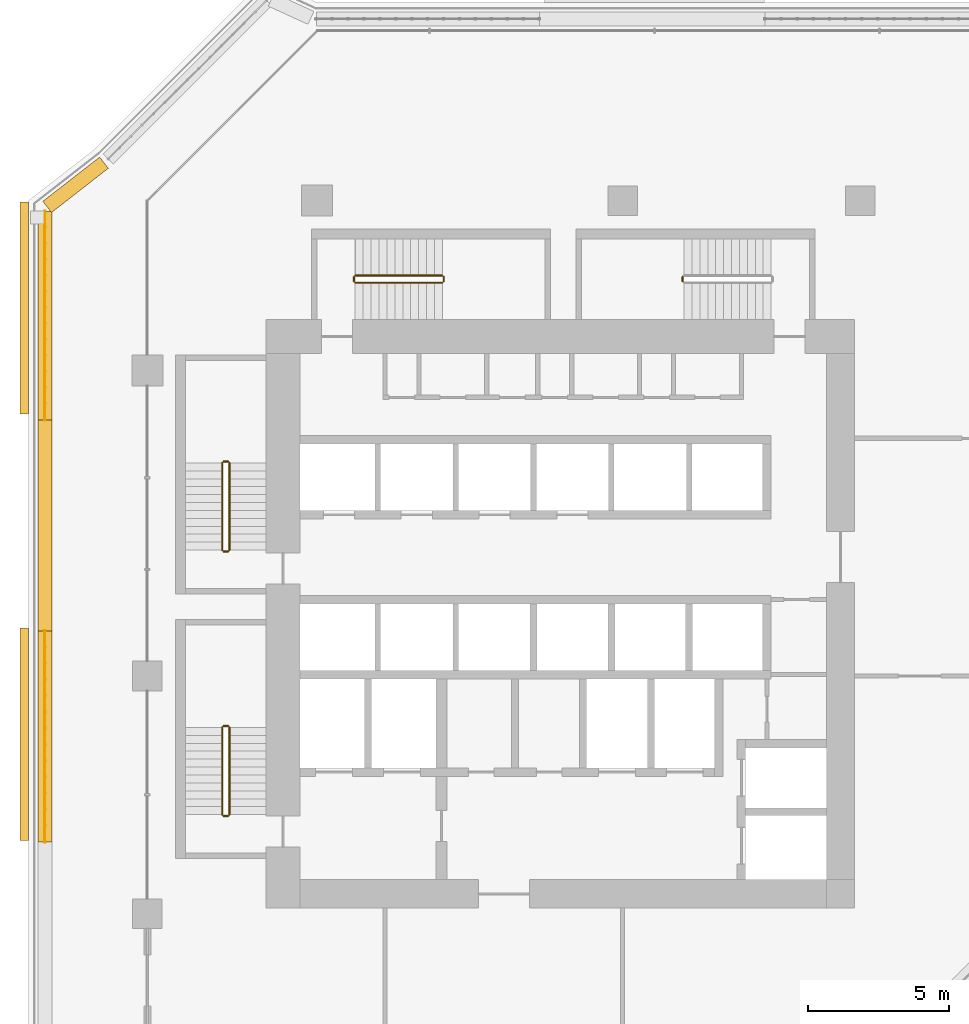
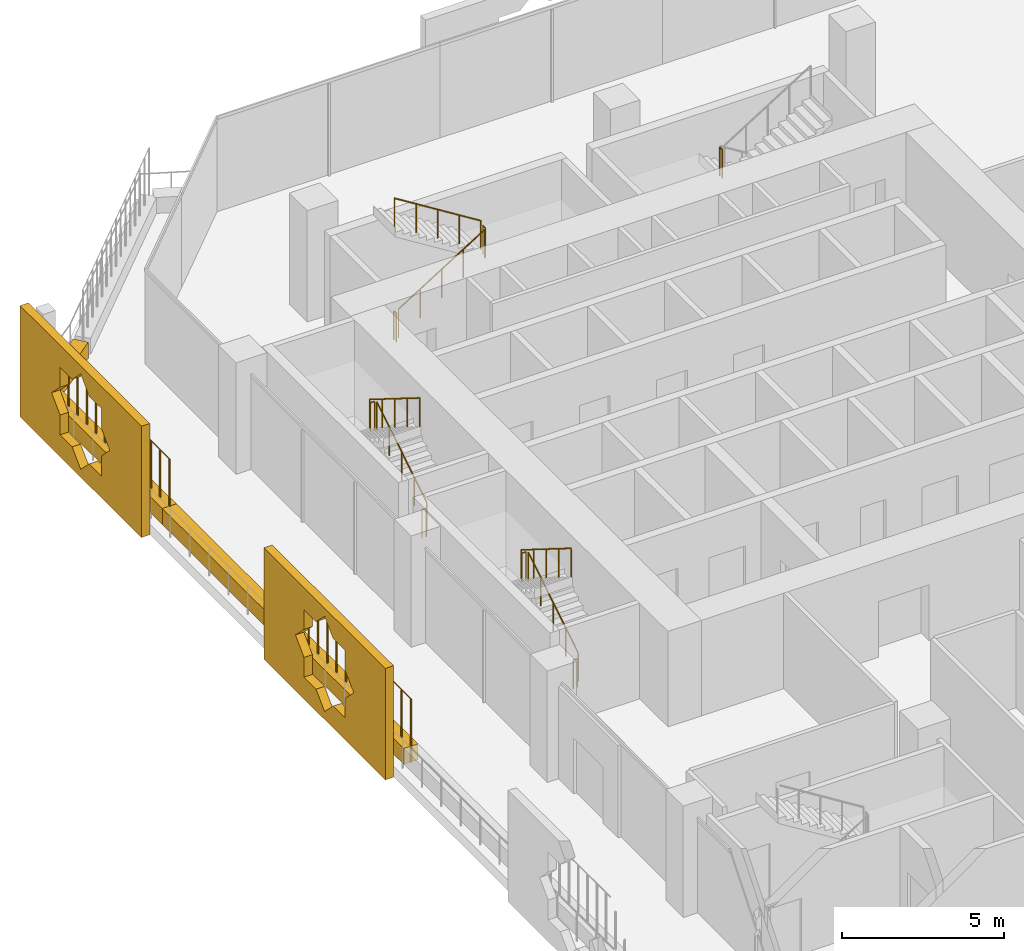
# One storey, part 21 of 25: 15 railings, 6 coverings.
"""IFC4 building model written with IfcOpenShell, lengths in metres."""

from ifc_helpers import new_model, si_unit, direction, frame, origin, origin_2d, place, context, subcontext, project, spatial, polyline, rectangle, circle, outline, extrude, material, material_profile, profile_set, type_object, element, save


model = new_model("IFC4")

# Units and contexts
model_context = context("Model", 3, precision=1e-05, world=origin(), true_north=direction((0.0, 1.0)))
body_context = subcontext(model_context, "Body", "Model", "MODEL_VIEW")
ifc_project = project(units=[si_unit("LENGTHUNIT", "METRE"), si_unit("AREAUNIT", "SQUARE_METRE"), si_unit("VOLUMEUNIT", "CUBIC_METRE"), si_unit("PLANEANGLEUNIT", "RADIAN"), si_unit("MASSUNIT", "GRAM", prefix="KILO")], contexts=[model_context])

# Site, building, storey
site_placement = place(None, origin())
site = spatial("IfcSite", under=ifc_project, at=site_placement, CompositionType="ELEMENT")
building_placement = place(site_placement, origin())
building = spatial("IfcBuilding", under=site, at=building_placement, Name="Kawkab Arch Medical Tower", CompositionType="ELEMENT")
storey_placement = place(building_placement, frame((0.0, 0.0, 132.39990234375)))
storey = spatial("IfcBuildingStorey", under=building, at=storey_placement, Name="L30", CompositionType="ELEMENT", Elevation=132.39990234375)

# Coverings
ifc_material_1 = material(Name="Bronze anodised aluminium mashrabiya panel, eight-point star pattern", Category="aluminium")
ifc_material_profile_1 = material_profile(ifc_material_1, outline(polyline([(-3.75, -2.10009765625), (3.75, -2.10009765625), (3.75, 2.10009765625), (-3.75, 2.10009765625), (-3.75, -2.10009765625)]), holes=[polyline([(1.800048828125, 0.0), (1.272705078125, 0.527099609375), (1.272705078125, 1.272705078125), (0.527099609375, 1.272705078125), (0.0, 1.800048828125), (-0.527099609375, 1.272705078125), (-1.272705078125, 1.272705078125), (-1.272705078125, 0.527099609375), (-1.800048828125, 0.0), (-1.272705078125, -0.527099609375), (-1.272705078125, -1.272705078125), (-0.527099609375, -1.272705078125), (0.0, -1.800048828125), (0.527099609375, -1.272705078125), (1.272705078125, -1.272705078125), (1.272705078125, -0.527099609375), (1.800048828125, 0.0)])]), Name="Mashrabiya panel 7500x4200")
ifc_profile_set_1 = profile_set([ifc_material_profile_1], Name="Bronze anodised aluminium mashrabiya panel, eight-point star pattern")
covering_type_1 = type_object("IfcCoveringType", Name="Mashrabiya panel 7500 x 4200", PredefinedType="USERDEFINED", material=ifc_profile_set_1)
for number, where, z_axis, x_axis, name in (
    (1, (-4.199951171875, -18.8583984375, 1.7001953125), (-1.0, 0.0, 0.0), (0.0, -1.0, 0.0), "Mashrabiya panel L30.LOG-01-01.4"),
    (2, (-4.199951171875, -3.795654296875, 1.7001953125), (-1.0, 0.0, 0.0), (0.0, -1.0, 0.0), "Mashrabiya panel L30.LOG-01-01.5"),
):
    element("IfcCovering", number, at=place(storey_placement, frame(where, z_axis=z_axis, x_axis=x_axis)), inside=storey, type_object=covering_type_1, Name=name, ObjectType="SCREEN", PredefinedType="USERDEFINED", context=body_context, shape_type="SweptSolid", body=[
        extrude(outline(polyline([(-3.75, -2.10009765625), (3.75, -2.10009765625), (3.75, 2.10009765625), (-3.75, 2.10009765625), (-3.75, -2.10009765625)]), holes=[polyline([(1.800048828125, 0.0), (1.272705078125, 0.527099609375), (1.272705078125, 1.272705078125), (0.527099609375, 1.272705078125), (0.0, 1.800048828125), (-0.527099609375, 1.272705078125), (-1.272705078125, 1.272705078125), (-1.272705078125, 0.527099609375), (-1.800048828125, 0.0), (-1.272705078125, -0.527099609375), (-1.272705078125, -1.272705078125), (-0.527099609375, -1.272705078125), (0.0, -1.800048828125), (0.527099609375, -1.272705078125), (1.272705078125, -1.272705078125), (1.272705078125, -0.527099609375), (1.800048828125, 0.0)])]), origin(), (0.0, 0.0, 1.0), 0.300048828125),
    ])
ifc_material_2 = material(Name="Planting soil in a precast trough", Category="concrete")
ifc_material_profile_2 = material_profile(ifc_material_2, rectangle(XDim=0.5, YDim=0.60009765625, at=origin_2d()), Name="Trough 500x600")
ifc_profile_set_2 = profile_set([ifc_material_profile_2], Name="Planting soil in a precast trough")
covering_type_2 = type_object("IfcCoveringType", Name="Planter trough 500 x 600", PredefinedType="USERDEFINED", material=ifc_profile_set_2)
for number, where, z_axis, x_axis, name in (
    (3, (-3.6201171875, -22.6689453125, 0.300048828125), (0.0, 1.0, 0.0), (-1.0, 0.0, 0.0), "Planter L30.LOG-01-01.11"),
    (4, (-3.6201171875, -15.20703125, 0.300048828125), (0.0, 1.0, 0.0), (-1.0, 0.0, 0.0), "Planter L30.LOG-01-01.12"),
):
    element("IfcCovering", number, at=place(storey_placement, frame(where, z_axis=z_axis, x_axis=x_axis)), inside=storey, type_object=covering_type_2, Name=name, ObjectType="PLANTER", PredefinedType="USERDEFINED", context=body_context, shape_type="SweptSolid", body=[
        extrude(rectangle(XDim=0.5, YDim=0.60009765625, at=origin_2d()), origin(), (0.0, 0.0, 1.0), 7.4619140625),
    ])
covering_1_placement = place(storey_placement, frame((-3.6201171875, -7.7451171875, 0.300048828125), z_axis=(0.0, 1.0, 0.0), x_axis=(-1.0, 0.0, 0.0)))
element("IfcCovering", 5, at=covering_1_placement, inside=storey, type_object=covering_type_2, Name="Planter L30.LOG-01-01.13", ObjectType="PLANTER", PredefinedType="USERDEFINED", context=body_context, shape_type="SweptSolid", body=[
    extrude(rectangle(XDim=0.5, YDim=0.60009765625, at=origin_2d()), origin(), (0.0, 0.0, 1.0), 7.361083984375),
])
covering_2_placement = place(storey_placement, frame((-3.541015625, -0.221923828125, 0.300048828125), z_axis=(0.789274742246, 0.61404021143, 0.0), x_axis=(-0.61404021143, 0.789274742246, 0.0)))
element("IfcCovering", 6, at=covering_2_placement, inside=storey, type_object=covering_type_2, Name="Planter L30.LOG-01-01.14", ObjectType="PLANTER", PredefinedType="USERDEFINED", context=body_context, shape_type="SweptSolid", body=[
    extrude(rectangle(XDim=0.5, YDim=0.60009765625, at=origin_2d()), origin(), (0.0, 0.0, 1.0), 2.54541015625),
])

# Railings
ifc_material_3 = material(Name="Bronze anodised aluminium trellis for climbing plants", Category="aluminium")
railing_type_1 = type_object("IfcRailingType", Name="Planting trellis 2400", PredefinedType="USERDEFINED", material=ifc_material_3)
railing_1_placement = place(storey_placement, frame((-3.6201171875, -22.6689453125, 0.0)))
element("IfcRailing", 7, at=railing_1_placement, inside=storey, type_object=railing_type_1, Name="Planting trellis L30.LOG-01-01.11", ObjectType="TRELLIS", PredefinedType="USERDEFINED", context=body_context, shape_type="SweptSolid", body=[
    extrude(circle(Radius=0.01513671875, at=origin_2d()), frame((0.0, 0.0, 2.384765625), z_axis=(0.0, 1.0, 0.0), x_axis=(-1.0, 0.0, 0.0)), (0.0, 0.0, 1.0), 7.4619140625),
    extrude(circle(Radius=0.030029296875, at=origin_2d()), origin(), (0.0, 0.0, 1.0), 2.369873046875),
    extrude(circle(Radius=0.030029296875, at=origin_2d()), frame((0.0, 0.573974609375, 0.0)), (0.0, 0.0, 1.0), 2.369873046875),
    extrude(circle(Radius=0.030029296875, at=origin_2d()), frame((0.0, 1.14794921875, 0.0)), (0.0, 0.0, 1.0), 2.369873046875),
    extrude(circle(Radius=0.030029296875, at=origin_2d()), frame((0.0, 1.721923828125, 0.0)), (0.0, 0.0, 1.0), 2.369873046875),
    extrude(circle(Radius=0.030029296875, at=origin_2d()), frame((0.0, 2.2958984375, 0.0)), (0.0, 0.0, 1.0), 2.369873046875),
    extrude(circle(Radius=0.030029296875, at=origin_2d()), frame((0.0, 2.869873046875, 0.0)), (0.0, 0.0, 1.0), 2.369873046875),
    extrude(circle(Radius=0.030029296875, at=origin_2d()), frame((0.0, 3.44384765625, 0.0)), (0.0, 0.0, 1.0), 2.369873046875),
    extrude(circle(Radius=0.030029296875, at=origin_2d()), frame((0.0, 4.01806640625, 0.0)), (0.0, 0.0, 1.0), 2.369873046875),
    extrude(circle(Radius=0.030029296875, at=origin_2d()), frame((0.0, 4.592041015625, 0.0)), (0.0, 0.0, 1.0), 2.369873046875),
    extrude(circle(Radius=0.030029296875, at=origin_2d()), frame((0.0, 5.166015625, 0.0)), (0.0, 0.0, 1.0), 2.369873046875),
    extrude(circle(Radius=0.030029296875, at=origin_2d()), frame((0.0, 5.739990234375, 0.0)), (0.0, 0.0, 1.0), 2.369873046875),
    extrude(circle(Radius=0.030029296875, at=origin_2d()), frame((0.0, 6.31396484375, 0.0)), (0.0, 0.0, 1.0), 2.369873046875),
    extrude(circle(Radius=0.030029296875, at=origin_2d()), frame((0.0, 6.887939453125, 0.0)), (0.0, 0.0, 1.0), 2.369873046875),
    extrude(circle(Radius=0.030029296875, at=origin_2d()), frame((0.0, 7.4619140625, 0.0)), (0.0, 0.0, 1.0), 2.369873046875),
])
railing_2_placement = place(storey_placement, frame((-3.6201171875, -7.7451171875, 0.0)))
element("IfcRailing", 8, at=railing_2_placement, inside=storey, type_object=railing_type_1, Name="Planting trellis L30.LOG-01-01.13", ObjectType="TRELLIS", PredefinedType="USERDEFINED", context=body_context, shape_type="SweptSolid", body=[
    extrude(circle(Radius=0.01513671875, at=origin_2d()), frame((0.0, 0.0, 2.384765625), z_axis=(0.0, 1.0, 0.0), x_axis=(-1.0, 0.0, 0.0)), (0.0, 0.0, 1.0), 7.361083984375),
    extrude(circle(Radius=0.030029296875, at=origin_2d()), origin(), (0.0, 0.0, 1.0), 2.369873046875),
    extrude(circle(Radius=0.030029296875, at=origin_2d()), frame((0.0, 0.566162109375, 0.0)), (0.0, 0.0, 1.0), 2.369873046875),
    extrude(circle(Radius=0.030029296875, at=origin_2d()), frame((0.0, 1.132568359375, 0.0)), (0.0, 0.0, 1.0), 2.369873046875),
    extrude(circle(Radius=0.030029296875, at=origin_2d()), frame((0.0, 1.69873046875, 0.0)), (0.0, 0.0, 1.0), 2.369873046875),
    extrude(circle(Radius=0.030029296875, at=origin_2d()), frame((0.0, 2.264892578125, 0.0)), (0.0, 0.0, 1.0), 2.369873046875),
    extrude(circle(Radius=0.030029296875, at=origin_2d()), frame((0.0, 2.831298828125, 0.0)), (0.0, 0.0, 1.0), 2.369873046875),
    extrude(circle(Radius=0.030029296875, at=origin_2d()), frame((0.0, 3.3974609375, 0.0)), (0.0, 0.0, 1.0), 2.369873046875),
    extrude(circle(Radius=0.030029296875, at=origin_2d()), frame((0.0, 3.963623046875, 0.0)), (0.0, 0.0, 1.0), 2.369873046875),
    extrude(circle(Radius=0.030029296875, at=origin_2d()), frame((0.0, 4.52978515625, 0.0)), (0.0, 0.0, 1.0), 2.369873046875),
    extrude(circle(Radius=0.030029296875, at=origin_2d()), frame((0.0, 5.09619140625, 0.0)), (0.0, 0.0, 1.0), 2.369873046875),
    extrude(circle(Radius=0.030029296875, at=origin_2d()), frame((0.0, 5.662353515625, 0.0)), (0.0, 0.0, 1.0), 2.369873046875),
    extrude(circle(Radius=0.030029296875, at=origin_2d()), frame((0.0, 6.228515625, 0.0)), (0.0, 0.0, 1.0), 2.369873046875),
    extrude(circle(Radius=0.030029296875, at=origin_2d()), frame((0.0, 6.794921875, 0.0)), (0.0, 0.0, 1.0), 2.369873046875),
    extrude(circle(Radius=0.030029296875, at=origin_2d()), frame((0.0, 7.361083984375, 0.0)), (0.0, 0.0, 1.0), 2.369873046875),
])
ifc_material_4 = material(Name="Stainless steel", Category="steel")
railing_type_2 = type_object("IfcRailingType", Name="Stair guard 1100", PredefinedType="GUARDRAIL", material=ifc_material_4)
railing_3_placement = place(storey_placement, frame((2.89990234375, -12.35009765625, 0.175048828125)))
element("IfcRailing", 9, at=railing_3_placement, inside=storey, type_object=railing_type_2, Name="L30 ST1 stair guard 1", PredefinedType="GUARDRAIL", context=body_context, shape_type="SweptSolid", body=[
    extrude(circle(Radius=0.02392578125, at=origin_2d()), frame((0.0, 0.0, 1.076171875), z_axis=(0.0, 0.847998304005, 0.529998940003), x_axis=(-1.0, 0.0, 0.0)), (0.0, 0.0, 1.0), 3.632080078125),
    extrude(circle(Radius=0.02099609375, at=origin_2d()), origin(), (0.0, 0.0, 1.0), 1.052001953125),
    extrude(circle(Radius=0.02099609375, at=origin_2d()), frame((0.0, 0.77001953125, 0.481201171875)), (0.0, 0.0, 1.0), 1.052001953125),
    extrude(circle(Radius=0.02099609375, at=origin_2d()), frame((0.0, 1.5400390625, 0.96240234375)), (0.0, 0.0, 1.0), 1.052001953125),
    extrude(circle(Radius=0.02099609375, at=origin_2d()), frame((0.0, 2.31005859375, 1.44384765625)), (0.0, 0.0, 1.0), 1.052001953125),
    extrude(circle(Radius=0.02099609375, at=origin_2d()), frame((0.0, 3.080078125, 1.925048828125)), (0.0, 0.0, 1.0), 1.052001953125),
])
railing_4_placement = place(storey_placement, frame((2.85009765625, -9.219970703125, 2.10009765625)))
element("IfcRailing", 10, at=railing_4_placement, inside=storey, type_object=railing_type_2, Name="L30 ST1 stair guard 2", PredefinedType="GUARDRAIL", context=body_context, shape_type="SweptSolid", body=[
    extrude(circle(Radius=0.02392578125, at=origin_2d()), frame((0.0, 0.0, 1.076171875), z_axis=(-1.0, 0.0, 0.0), x_axis=(0.0, -1.0, 0.0)), (0.0, 0.0, 1.0), 0.150146484375),
    extrude(circle(Radius=0.02099609375, at=origin_2d()), origin(), (0.0, 0.0, 1.0), 1.052001953125),
    extrude(circle(Radius=0.02099609375, at=origin_2d()), frame((-0.150146484375, 0.0, 0.0)), (0.0, 0.0, 1.0), 1.052001953125),
])
railing_5_placement = place(storey_placement, frame((2.64990234375, -9.27001953125, 2.275146484375)))
element("IfcRailing", 11, at=railing_5_placement, inside=storey, type_object=railing_type_2, Name="L30 ST1 stair guard 3", PredefinedType="GUARDRAIL", context=body_context, shape_type="SweptSolid", body=[
    extrude(circle(Radius=0.02392578125, at=origin_2d()), frame((0.0, 0.0, 1.076171875), z_axis=(0.0, -0.847998304005, 0.529998940003), x_axis=(1.0, 0.0, 0.0)), (0.0, 0.0, 1.0), 3.632080078125),
    extrude(circle(Radius=0.02099609375, at=origin_2d()), origin(), (0.0, 0.0, 1.0), 1.052001953125),
    extrude(circle(Radius=0.02099609375, at=origin_2d()), frame((0.0, -0.77001953125, 0.481201171875)), (0.0, 0.0, 1.0), 1.052001953125),
    extrude(circle(Radius=0.02099609375, at=origin_2d()), frame((0.0, -1.5400390625, 0.96240234375)), (0.0, 0.0, 1.0), 1.052001953125),
    extrude(circle(Radius=0.02099609375, at=origin_2d()), frame((0.0, -2.31005859375, 1.44384765625)), (0.0, 0.0, 1.0), 1.052001953125),
    extrude(circle(Radius=0.02099609375, at=origin_2d()), frame((0.0, -3.080078125, 1.925048828125)), (0.0, 0.0, 1.0), 1.052001953125),
])
railing_6_placement = place(storey_placement, frame((2.85009765625, -12.39990234375, 0.0)))
element("IfcRailing", 12, at=railing_6_placement, inside=storey, type_object=railing_type_2, Name="L30 ST1 stair guard 4", PredefinedType="GUARDRAIL", context=body_context, shape_type="SweptSolid", body=[
    extrude(circle(Radius=0.02392578125, at=origin_2d()), frame((0.0, 0.0, 1.076171875), z_axis=(-1.0, 0.0, 0.0), x_axis=(0.0, -1.0, 0.0)), (0.0, 0.0, 1.0), 0.150146484375),
    extrude(circle(Radius=0.02099609375, at=origin_2d()), origin(), (0.0, 0.0, 1.0), 1.052001953125),
    extrude(circle(Radius=0.02099609375, at=origin_2d()), frame((-0.150146484375, 0.0, 0.0)), (0.0, 0.0, 1.0), 1.052001953125),
])
railing_7_placement = place(storey_placement, frame((2.89990234375, -21.699951171875, 0.175048828125)))
element("IfcRailing", 13, at=railing_7_placement, inside=storey, type_object=railing_type_2, Name="L30 ST2 stair guard 1", PredefinedType="GUARDRAIL", context=body_context, shape_type="SweptSolid", body=[
    extrude(circle(Radius=0.02392578125, at=origin_2d()), frame((0.0, 0.0, 1.076171875), z_axis=(0.0, 0.847979421464, 0.530029150871), x_axis=(-1.0, 0.0, 0.0)), (0.0, 0.0, 1.0), 3.632080078125),
    extrude(circle(Radius=0.02099609375, at=origin_2d()), origin(), (0.0, 0.0, 1.0), 1.052001953125),
    extrude(circle(Radius=0.02099609375, at=origin_2d()), frame((0.0, 0.77001953125, 0.481201171875)), (0.0, 0.0, 1.0), 1.052001953125),
    extrude(circle(Radius=0.02099609375, at=origin_2d()), frame((0.0, 1.5400390625, 0.96240234375)), (0.0, 0.0, 1.0), 1.052001953125),
    extrude(circle(Radius=0.02099609375, at=origin_2d()), frame((0.0, 2.309814453125, 1.44384765625)), (0.0, 0.0, 1.0), 1.052001953125),
    extrude(circle(Radius=0.02099609375, at=origin_2d()), frame((0.0, 3.079833984375, 1.925048828125)), (0.0, 0.0, 1.0), 1.052001953125),
])
railing_8_placement = place(storey_placement, frame((2.85009765625, -18.570068359375, 2.10009765625)))
element("IfcRailing", 14, at=railing_8_placement, inside=storey, type_object=railing_type_2, Name="L30 ST2 stair guard 2", PredefinedType="GUARDRAIL", context=body_context, shape_type="SweptSolid", body=[
    extrude(circle(Radius=0.02392578125, at=origin_2d()), frame((0.0, 0.0, 1.076171875), z_axis=(-1.0, 0.0, 0.0), x_axis=(0.0, -1.0, 0.0)), (0.0, 0.0, 1.0), 0.150146484375),
    extrude(circle(Radius=0.02099609375, at=origin_2d()), origin(), (0.0, 0.0, 1.0), 1.052001953125),
    extrude(circle(Radius=0.02099609375, at=origin_2d()), frame((-0.150146484375, 0.0, 0.0)), (0.0, 0.0, 1.0), 1.052001953125),
])
railing_9_placement = place(storey_placement, frame((2.64990234375, -18.6201171875, 2.275146484375)))
element("IfcRailing", 15, at=railing_9_placement, inside=storey, type_object=railing_type_2, Name="L30 ST2 stair guard 3", PredefinedType="GUARDRAIL", context=body_context, shape_type="SweptSolid", body=[
    extrude(circle(Radius=0.02392578125, at=origin_2d()), frame((0.0, 0.0, 1.076171875), z_axis=(0.0, -0.847979421464, 0.530029150871), x_axis=(1.0, 0.0, 0.0)), (0.0, 0.0, 1.0), 3.632080078125),
    extrude(circle(Radius=0.02099609375, at=origin_2d()), origin(), (0.0, 0.0, 1.0), 1.052001953125),
    extrude(circle(Radius=0.02099609375, at=origin_2d()), frame((0.0, -0.77001953125, 0.481201171875)), (0.0, 0.0, 1.0), 1.052001953125),
    extrude(circle(Radius=0.02099609375, at=origin_2d()), frame((0.0, -1.5400390625, 0.96240234375)), (0.0, 0.0, 1.0), 1.052001953125),
    extrude(circle(Radius=0.02099609375, at=origin_2d()), frame((0.0, -2.309814453125, 1.44384765625)), (0.0, 0.0, 1.0), 1.052001953125),
    extrude(circle(Radius=0.02099609375, at=origin_2d()), frame((0.0, -3.079833984375, 1.925048828125)), (0.0, 0.0, 1.0), 1.052001953125),
])
railing_10_placement = place(storey_placement, frame((2.85009765625, -21.75, 0.0)))
element("IfcRailing", 16, at=railing_10_placement, inside=storey, type_object=railing_type_2, Name="L30 ST2 stair guard 4", PredefinedType="GUARDRAIL", context=body_context, shape_type="SweptSolid", body=[
    extrude(circle(Radius=0.02392578125, at=origin_2d()), frame((0.0, 0.0, 1.076171875), z_axis=(-1.0, 0.0, 0.0), x_axis=(0.0, -1.0, 0.0)), (0.0, 0.0, 1.0), 0.150146484375),
    extrude(circle(Radius=0.02099609375, at=origin_2d()), origin(), (0.0, 0.0, 1.0), 1.052001953125),
    extrude(circle(Radius=0.02099609375, at=origin_2d()), frame((-0.150146484375, 0.0, 0.0)), (0.0, 0.0, 1.0), 1.052001953125),
])
railing_11_placement = place(storey_placement, frame((7.35009765625, -2.89990234375, 0.175048828125)))
element("IfcRailing", 17, at=railing_11_placement, inside=storey, type_object=railing_type_2, Name="L30 ST3 stair guard 1", PredefinedType="GUARDRAIL", context=body_context, shape_type="SweptSolid", body=[
    extrude(circle(Radius=0.02392578125, at=origin_2d()), frame((0.0, 0.0, 1.076171875), z_axis=(0.847979421464, 0.0, 0.530029150871), x_axis=(0.0, 1.0, 0.0)), (0.0, 0.0, 1.0), 3.632080078125),
    extrude(circle(Radius=0.02099609375, at=origin_2d()), origin(), (0.0, 0.0, 1.0), 1.052001953125),
    extrude(circle(Radius=0.02099609375, at=origin_2d()), frame((0.77001953125, 0.0, 0.481201171875)), (0.0, 0.0, 1.0), 1.052001953125),
    extrude(circle(Radius=0.02099609375, at=origin_2d()), frame((1.5400390625, 0.0, 0.96240234375)), (0.0, 0.0, 1.0), 1.052001953125),
    extrude(circle(Radius=0.02099609375, at=origin_2d()), frame((2.309814453125, 0.0, 1.44384765625)), (0.0, 0.0, 1.0), 1.052001953125),
    extrude(circle(Radius=0.02099609375, at=origin_2d()), frame((3.079833984375, 0.0, 1.925048828125)), (0.0, 0.0, 1.0), 1.052001953125),
])
railing_12_placement = place(storey_placement, frame((10.47998046875, -2.85009765625, 2.10009765625)))
element("IfcRailing", 18, at=railing_12_placement, inside=storey, type_object=railing_type_2, Name="L30 ST3 stair guard 2", PredefinedType="GUARDRAIL", context=body_context, shape_type="SweptSolid", body=[
    extrude(circle(Radius=0.02392578125, at=origin_2d()), frame((0.0, 0.0, 1.076171875), z_axis=(0.0, 1.0, 0.0), x_axis=(-1.0, 0.0, 0.0)), (0.0, 0.0, 1.0), 0.150146484375),
    extrude(circle(Radius=0.02099609375, at=origin_2d()), origin(), (0.0, 0.0, 1.0), 1.052001953125),
    extrude(circle(Radius=0.02099609375, at=origin_2d()), frame((0.0, 0.150146484375, 0.0)), (0.0, 0.0, 1.0), 1.052001953125),
])
railing_13_placement = place(storey_placement, frame((10.429931640625, -2.64990234375, 2.275146484375)))
element("IfcRailing", 19, at=railing_13_placement, inside=storey, type_object=railing_type_2, Name="L30 ST3 stair guard 3", PredefinedType="GUARDRAIL", context=body_context, shape_type="SweptSolid", body=[
    extrude(circle(Radius=0.02392578125, at=origin_2d()), frame((0.0, 0.0, 1.076171875), z_axis=(-0.847979421464, 0.0, 0.530029150871), x_axis=(0.0, -1.0, 0.0)), (0.0, 0.0, 1.0), 3.632080078125),
    extrude(circle(Radius=0.02099609375, at=origin_2d()), origin(), (0.0, 0.0, 1.0), 1.052001953125),
    extrude(circle(Radius=0.02099609375, at=origin_2d()), frame((-0.77001953125, 0.0, 0.481201171875)), (0.0, 0.0, 1.0), 1.052001953125),
    extrude(circle(Radius=0.02099609375, at=origin_2d()), frame((-1.5400390625, 0.0, 0.96240234375)), (0.0, 0.0, 1.0), 1.052001953125),
    extrude(circle(Radius=0.02099609375, at=origin_2d()), frame((-2.309814453125, 0.0, 1.44384765625)), (0.0, 0.0, 1.0), 1.052001953125),
    extrude(circle(Radius=0.02099609375, at=origin_2d()), frame((-3.079833984375, 0.0, 1.925048828125)), (0.0, 0.0, 1.0), 1.052001953125),
])
railing_14_placement = place(storey_placement, frame((7.300048828125, -2.85009765625, 0.0)))
element("IfcRailing", 20, at=railing_14_placement, inside=storey, type_object=railing_type_2, Name="L30 ST3 stair guard 4", PredefinedType="GUARDRAIL", context=body_context, shape_type="SweptSolid", body=[
    extrude(circle(Radius=0.02392578125, at=origin_2d()), frame((0.0, 0.0, 1.076171875), z_axis=(0.0, 1.0, 0.0), x_axis=(-1.0, 0.0, 0.0)), (0.0, 0.0, 1.0), 0.150146484375),
    extrude(circle(Radius=0.02099609375, at=origin_2d()), origin(), (0.0, 0.0, 1.0), 1.052001953125),
    extrude(circle(Radius=0.02099609375, at=origin_2d()), frame((0.0, 0.150146484375, 0.0)), (0.0, 0.0, 1.0), 1.052001953125),
])
railing_15_placement = place(storey_placement, frame((18.919921875, -2.699951171875, 2.10009765625)))
element("IfcRailing", 21, at=railing_15_placement, inside=storey, type_object=railing_type_2, Name="L30 ST4 stair guard 2", PredefinedType="GUARDRAIL", context=body_context, shape_type="SweptSolid", body=[
    extrude(circle(Radius=0.02392578125, at=origin_2d()), frame((0.0, 0.0, 1.076171875), z_axis=(0.0, -1.0, 0.0), x_axis=(1.0, 0.0, 0.0)), (0.0, 0.0, 1.0), 0.150146484375),
    extrude(circle(Radius=0.02099609375, at=origin_2d()), origin(), (0.0, 0.0, 1.0), 1.052001953125),
    extrude(circle(Radius=0.02099609375, at=origin_2d()), frame((0.0, -0.150146484375, 0.0)), (0.0, 0.0, 1.0), 1.052001953125),
])

save(model, "model.ifc")
